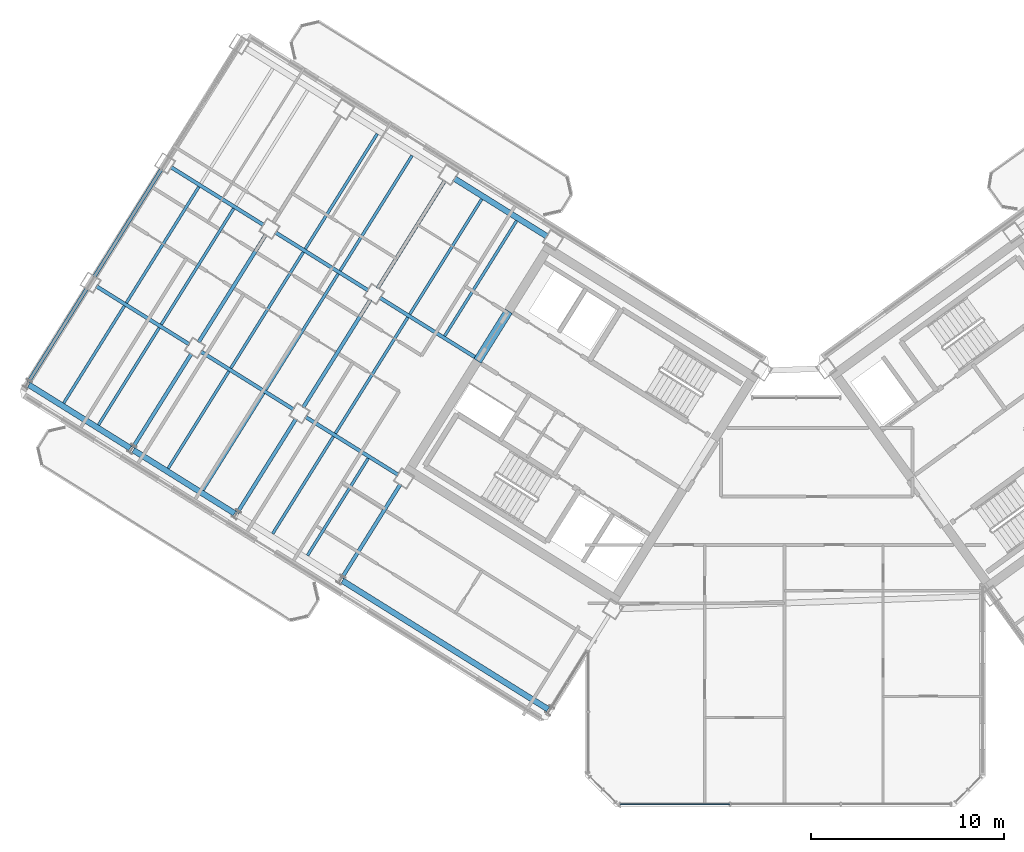
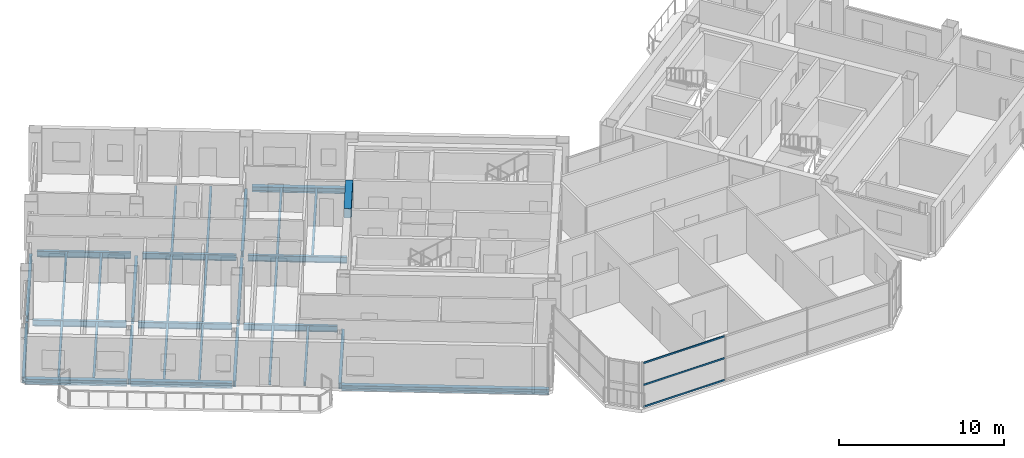
# One storey, part 7 of 29: 34 beams, 3 members, 1 element without a shape of its own.
"""IFC4 building model written with IfcOpenShell, lengths in metres."""

import ifcopenshell
import ifcopenshell.guid

model = None  # the IFC model being written
_history = None  # IfcOwnerHistory: only IFC2X3 demands one
_inside = {}  # id of a spatial element -> (the spatial element, [elements in it])
_under = {}  # id of a project, library or spatial element -> (it, [spatial elements below it])
_declared = {}  # id of a project -> (the project, [libraries it declares])
_typed = {}  # id of a type object -> (the type object, [elements of that type])
_made_of = {}  # id of a material, layer set ... -> (it, [elements and type objects made of it])


def new_model(schema):
    """Start an empty IFC model of exactly this schema.

    Asked for "IFC4X3", IfcOpenShell would pick the latest addendum, in which some entities
    have other attributes; the version numbers below select the first issue.
    IFC2X3 requires an IfcOwnerHistory on every rooted entity: one is made here for all.
    """
    global model, _history
    if schema == "IFC4X3":
        model = ifcopenshell.file(schema_version=(4, 3, 0, 0))
    else:
        model = ifcopenshell.file(schema=schema)
    _inside.clear()
    _under.clear()
    _declared.clear()
    _typed.clear()
    _made_of.clear()
    _history = None
    if model.schema == "IFC2X3":
        org = make("IfcOrganization", Name="unknown")
        user = make(
            "IfcPersonAndOrganization",
            ThePerson=make("IfcPerson", FamilyName="unknown"),
            TheOrganization=org,
        )
        app = make(
            "IfcApplication",
            ApplicationDeveloper=org,
            Version="unknown",
            ApplicationFullName="unknown",
            ApplicationIdentifier="unknown",
        )
        _history = make(
            "IfcOwnerHistory",
            OwningUser=user,
            OwningApplication=app,
            ChangeAction="ADDED",
            CreationDate=0,
        )
    return model


def make(cls, **values):
    """One entity of the class cls with the attributes given. An attribute that is None is left unset."""
    return model.create_entity(
        cls, **{name: value for name, value in values.items() if value is not None}
    )


def rooted(cls, **values):
    """An entity with a GlobalId (a new one), such as an element, a storey or a relation."""
    return make(cls, GlobalId=ifcopenshell.guid.new(), OwnerHistory=_history, **values)


def si_unit(unit_type, name, prefix=None):
    """IfcSIUnit, for example si_unit("LENGTHUNIT", "METRE", prefix="MILLI")."""
    return make("IfcSIUnit", UnitType=unit_type, Prefix=prefix, Name=name)


def assignment(units):
    """IfcUnitAssignment: the units of a project."""
    return None if units is None else make("IfcUnitAssignment", Units=units)


def point(xyz):
    """IfcCartesianPoint."""
    return None if xyz is None else make("IfcCartesianPoint", Coordinates=xyz)


def direction(xyz):
    """IfcDirection."""
    return None if xyz is None else make("IfcDirection", DirectionRatios=xyz)


def frame(location, z_axis=None, x_axis=None):
    """IfcAxis2Placement3D, a coordinate frame: its origin and axes. An axis left out is left unset."""
    return make(
        "IfcAxis2Placement3D",
        Location=point(location),
        Axis=direction(z_axis),
        RefDirection=direction(x_axis),
    )


def frame_2d(location, x_axis=None):
    """IfcAxis2Placement2D, a coordinate frame in the plane: its origin and x axis."""
    return make(
        "IfcAxis2Placement2D", Location=point(location), RefDirection=direction(x_axis)
    )


def origin():
    """The frame at (0, 0, 0) with its axes left unset."""
    return frame((0.0, 0.0, 0.0))


def origin_2d():
    """The frame at (0, 0) in the plane with its x axis left unset."""
    return frame_2d((0.0, 0.0))


def place(relative_to, where):
    """IfcLocalPlacement: puts the frame where relative to a parent placement (None: the world)."""
    return make(
        "IfcLocalPlacement", PlacementRelTo=relative_to, RelativePlacement=where
    )


def context(
    kind, dimensions, precision=None, world=None, true_north=None, identifier=None
):
    """IfcGeometricRepresentationContext, for example the 3D "Model" context."""
    return make(
        "IfcGeometricRepresentationContext",
        ContextIdentifier=identifier,
        ContextType=kind,
        CoordinateSpaceDimension=dimensions,
        Precision=precision,
        WorldCoordinateSystem=world,
        TrueNorth=true_north,
    )


def subcontext(parent, identifier, kind, view, scale=None):
    """IfcGeometricRepresentationSubContext, for example "Body" below "Model"."""
    return make(
        "IfcGeometricRepresentationSubContext",
        ContextIdentifier=identifier,
        ContextType=kind,
        ParentContext=parent,
        TargetScale=scale,
        TargetView=view,
    )


def project(units=None, contexts=None):
    """IfcProject with its units and contexts."""
    return rooted(
        "IfcProject",
        Name="project",
        RepresentationContexts=contexts,
        UnitsInContext=assignment(units),
    )


def spatial(cls, under=None, at=None, **own):
    """A site, building, storey or space (cls), placed at a placement, below another one or the project."""
    s = rooted(cls, ObjectPlacement=at, **own)
    if under is not None:
        _under.setdefault(under.id(), (under, []))[1].append(s)
    return s


def profile(cls, at=None, kind="AREA", **sizes):
    """A parametric profile (cls). Its sizes go by their IFC names, for example OverallWidth=200.0."""
    return make(cls, ProfileType=kind, Position=at, **sizes)


def rectangle(**sizes):
    """IfcRectangleProfileDef."""
    return profile("IfcRectangleProfileDef", **sizes)


def hollow_rectangle(**sizes):
    """IfcRectangleHollowProfileDef."""
    return profile("IfcRectangleHollowProfileDef", **sizes)


def i_section(**sizes):
    """IfcIShapeProfileDef."""
    return profile("IfcIShapeProfileDef", **sizes)


def extrude(swept, where, along, depth):
    """IfcExtrudedAreaSolid: the profile swept, set in the frame where, extruded along a direction by depth."""
    return make(
        "IfcExtrudedAreaSolid",
        SweptArea=swept,
        Position=where,
        ExtrudedDirection=direction(along),
        Depth=depth,
    )


def shape(context_of_items, identifier, shape_type, items):
    """IfcShapeRepresentation: the items that make up one representation, for example the "Body"."""
    return make(
        "IfcShapeRepresentation",
        ContextOfItems=context_of_items,
        RepresentationIdentifier=identifier,
        RepresentationType=shape_type,
        Items=items,
    )


def source(mapping_origin, context_of_items, identifier, shape_type, items):
    """IfcRepresentationMap: a shape defined once, which mapped items show again and again."""
    return make(
        "IfcRepresentationMap",
        MappingOrigin=mapping_origin,
        MappedRepresentation=shape(context_of_items, identifier, shape_type, items),
    )


def transform(
    local_origin,
    x_axis=None,
    y_axis=None,
    z_axis=None,
    scale=None,
    scale2=None,
    scale3=None,
    uniform=True,
):
    """IfcCartesianTransformationOperator3D, or its non-uniform kind. x_axis, y_axis, z_axis: its Axis1, 2, 3."""
    if uniform:
        return make(
            "IfcCartesianTransformationOperator3D",
            Axis1=direction(x_axis),
            Axis2=direction(y_axis),
            LocalOrigin=point(local_origin),
            Scale=scale,
            Axis3=direction(z_axis),
        )
    return make(
        "IfcCartesianTransformationOperator3DnonUniform",
        Axis1=direction(x_axis),
        Axis2=direction(y_axis),
        LocalOrigin=point(local_origin),
        Scale=scale,
        Axis3=direction(z_axis),
        Scale2=scale2,
        Scale3=scale3,
    )


def mapped(mapping_source, mapping_target):
    """IfcMappedItem: shows the shape of a source again, moved by a transform."""
    return make(
        "IfcMappedItem", MappingSource=mapping_source, MappingTarget=mapping_target
    )


def material(Name=None, Category=None):
    """IfcMaterial."""
    return make("IfcMaterial", Name=Name, Category=Category)


def material_profile(
    of_material, cross_section, Name=None, Category=None, Priority=None
):
    """IfcMaterialProfile: a cross section and its material."""
    return make(
        "IfcMaterialProfile",
        Name=Name,
        Material=of_material,
        Profile=cross_section,
        Priority=Priority,
        Category=Category,
    )


def profile_set(profiles, Name=None, composite=None):
    """IfcMaterialProfileSet."""
    return make(
        "IfcMaterialProfileSet",
        Name=Name,
        MaterialProfiles=profiles,
        CompositeProfile=composite,
    )


def made_of(thing, what):
    """Note that an element or type object is made of a material, layer set ...; save() writes the relation."""
    if what is not None:
        _made_of.setdefault(what.id(), (what, []))[1].append(thing)
    return thing


def type_object(cls, material=None, **own):
    """A type object (cls), such as IfcWallType, which elements share."""
    return made_of(rooted(cls, **own), material)


def element(
    cls,
    number,
    at=None,
    inside=None,
    cuts=None,
    type_object=None,
    material=None,
    context=None,
    identifier="Body",
    shape_type=None,
    held_by="IfcProductDefinitionShape",
    body=None,
    shapes=None,
    **own,
):
    """One element of the class cls, such as IfcWall. Its Tag is "e" and its number.

    at: its placement. inside: the storey or other place that contains it. cuts: it is an
    opening in that element (IfcRelVoidsElement). A single representation is given by context,
    identifier, shape_type and body (its items); several are given by shapes. held_by: the class
    of the entity that holds the representations. save() writes the other relations.
    """
    e = rooted(cls, Tag="e%d" % number, ObjectPlacement=at, **own)
    if body is not None:
        shapes = [shape(context, identifier, shape_type, body)]
    if shapes is not None:
        e.Representation = make(held_by, Representations=shapes)
    if inside is not None:
        _inside.setdefault(inside.id(), (inside, []))[1].append(e)
    if cuts is not None:
        rooted(
            "IfcRelVoidsElement", RelatingBuildingElement=cuts, RelatedOpeningElement=e
        )
    if type_object is not None:
        _typed.setdefault(type_object.id(), (type_object, []))[1].append(e)
    return made_of(e, material)


def aggregate(whole, parts):
    """IfcRelAggregates: a whole, such as a stair, and the parts it consists of."""
    return rooted("IfcRelAggregates", RelatingObject=whole, RelatedObjects=parts)


def save(model, path):
    """Write the relations noted so far, then the file.

    IfcRelAggregates (storeys below a building ...), IfcRelContainedInSpatialStructure (elements
    in a storey), IfcRelDefinesByType, IfcRelAssociatesMaterial and IfcRelDeclares: one each for
    every whole, place, type object, material and project.
    """
    for whole, parts in _under.values():
        aggregate(whole, parts)
    for where, things in _inside.values():
        rooted(
            "IfcRelContainedInSpatialStructure",
            RelatedElements=things,
            RelatingStructure=where,
        )
    for kind, things in _typed.values():
        rooted("IfcRelDefinesByType", RelatedObjects=things, RelatingType=kind)
    for what, things in _made_of.values():
        rooted("IfcRelAssociatesMaterial", RelatedObjects=things, RelatingMaterial=what)
    for by, libraries in _declared.values():
        rooted("IfcRelDeclares", RelatingContext=by, RelatedDefinitions=libraries)
    model.write(path)


model = new_model("IFC4")

# Units and contexts
model_context = context("Model", 3, precision=1e-05, world=origin(), true_north=direction((0.0, 1.0)))
body_context = subcontext(model_context, "Body", "Model", "MODEL_VIEW")
ifc_project = project(units=[si_unit("LENGTHUNIT", "METRE"), si_unit("AREAUNIT", "SQUARE_METRE"), si_unit("VOLUMEUNIT", "CUBIC_METRE"), si_unit("PLANEANGLEUNIT", "RADIAN"), si_unit("MASSUNIT", "GRAM", prefix="KILO")], contexts=[model_context])

# Site, building, storey
site_placement = place(None, origin())
site = spatial("IfcSite", under=ifc_project, at=site_placement, CompositionType="ELEMENT")
building_placement = place(site_placement, origin())
building = spatial("IfcBuilding", under=site, at=building_placement, Name="Tlacorven Tower", CompositionType="ELEMENT")
storey_placement = place(building_placement, frame((0.0, 0.0, 238.5)))
storey = spatial("IfcBuildingStorey", under=building, at=storey_placement, Name="L60", CompositionType="ELEMENT", Elevation=238.5)

# Beams
ifc_material_1 = material(Name="Concrete C60/75", Category="concrete")
ifc_material_profile_1 = material_profile(ifc_material_1, rectangle(XDim=0.449951171875, YDim=0.699951171875, at=origin_2d()), Name="RC 450X700")
ifc_profile_set_1 = profile_set([ifc_material_profile_1], Name="Concrete C60/75")
beam_type_1 = type_object("IfcBeamType", Name="BM-LNT-700", PredefinedType="LINTEL", material=ifc_profile_set_1)
shared_shape_1 = source(origin(), body_context, "Body", "SweptSolid", [
    extrude(rectangle(XDim=0.449951171875, YDim=0.699951171875, at=origin_2d()), origin(), (0.0, 0.0, 1.0), 3.0498046875),
])
beam_1_placement = place(storey_placement, frame((27.622802734375, 27.562255859375, 3.0), z_axis=(-0.529926983584, -0.848043272522, 0.0), x_axis=(0.848043272522, -0.529926983584, 0.0)))
element("IfcBeam", 1, at=beam_1_placement, inside=storey, type_object=beam_type_1, Name="L60 W core coupling lintel beam E2", PredefinedType="LINTEL", context=body_context, shape_type="MappedRepresentation", body=[
    mapped(shared_shape_1, transform((0.0, 0.0, 0.0), scale=1.0)),
])
ifc_material_2 = material(Name="Steel S355J2", Category="steel")
ifc_material_profile_2 = material_profile(ifc_material_2, i_section(OverallWidth=0.300048828125, OverallDepth=0.389892578125, WebThickness=0.010986328125, FlangeThickness=0.01904296875, at=origin_2d()), Name="HEA 400")
ifc_profile_set_2 = profile_set([ifc_material_profile_2], Name="Steel S355J2")
beam_type_2 = type_object("IfcBeamType", Name="BM-SPN-400", PredefinedType="SPANDREL", material=ifc_profile_set_2)
shared_shape_2 = source(origin(), body_context, "Body", "SweptSolid", [
    extrude(i_section(OverallWidth=0.300048828125, OverallDepth=0.389892578125, WebThickness=0.010986328125, FlangeThickness=0.01904296875, at=origin_2d()), origin(), (0.0, 0.0, 1.0), 12.599853515625),
])
beam_2_placement = place(storey_placement, frame((29.67578125, 6.882080078125, -0.445068359375), z_axis=(-0.848045108756, 0.529924045043, 0.0), x_axis=(-0.529924045043, -0.848045108756, 0.0)))
element("IfcBeam", 2, at=beam_2_placement, inside=storey, type_object=beam_type_2, Name="L60 beam BM-L60-WL4-1", PredefinedType="SPANDREL", context=body_context, shape_type="MappedRepresentation", body=[
    mapped(shared_shape_2, transform((0.0, 0.0, 0.0), scale=1.0)),
])
shared_shape_3 = source(origin(), body_context, "Body", "SweptSolid", [
    extrude(i_section(OverallWidth=0.300048828125, OverallDepth=0.389892578125, WebThickness=0.010986328125, FlangeThickness=0.01904296875, at=origin_2d()), origin(), (0.0, 0.0, 1.0), 6.199951171875),
])
for number, where, z_axis, x_axis, name in (
    (3, (13.393310546875, 17.056396484375, -0.445068359375), (-0.848033697614, 0.529942306022, 0.0), (-0.529942306022, -0.848033697614, 0.0), "L60 beam BM-L60-WL4-4"),
    (4, (7.9658203125, 20.447998046875, -0.445068359375), (-0.848051394107, 0.529913986372, 0.0), (-0.529913986372, -0.848051394107, 0.0), "L60 beam BM-L60-WL4-5"),
):
    element("IfcBeam", number, at=place(storey_placement, frame(where, z_axis=z_axis, x_axis=x_axis)), inside=storey, type_object=beam_type_2, Name=name, PredefinedType="SPANDREL", context=body_context, shape_type="MappedRepresentation", body=[
        mapped(shared_shape_3, transform((0.0, 0.0, 0.0), scale=1.0)),
    ])
shared_shape_4 = source(origin(), body_context, "Body", "SweptSolid", [
    extrude(i_section(OverallWidth=0.300048828125, OverallDepth=0.389892578125, WebThickness=0.010986328125, FlangeThickness=0.01904296875, at=origin_2d()), origin(), (0.0, 0.0, 1.0), 5.699951171875),
])
beam_3_placement = place(storey_placement, frame((29.631103515625, 31.436767578125, -0.445068359375), z_axis=(-0.848044021115, 0.529925785607, 0.0), x_axis=(-0.529925785607, -0.848044021115, 0.0)))
element("IfcBeam", 5, at=beam_3_placement, inside=storey, type_object=beam_type_2, Name="L60 beam BM-L60-WL1-3", PredefinedType="SPANDREL", context=body_context, shape_type="MappedRepresentation", body=[
    mapped(shared_shape_4, transform((0.0, 0.0, 0.0), scale=1.0)),
])
ifc_material_profile_3 = material_profile(ifc_material_2, i_section(OverallWidth=0.14990234375, OverallDepth=0.300048828125, WebThickness=0.007080078125, FlangeThickness=0.0107421875, at=origin_2d()), Name="IPE 300")
ifc_profile_set_3 = profile_set([ifc_material_profile_3], Name="Steel S355J2")
beam_type_3 = type_object("IfcBeamType", Name="BM-JST-300", PredefinedType="JOIST", material=ifc_profile_set_3)
shared_shape_5 = source(origin(), body_context, "Body", "SweptSolid", [
    extrude(i_section(OverallWidth=0.14990234375, OverallDepth=0.300048828125, WebThickness=0.007080078125, FlangeThickness=0.0107421875, at=origin_2d()), origin(), (0.0, 0.0, 1.0), 7.10009765625),
])
for number, where, z_axis, x_axis, name in (
    (6, (22.38818359375, 27.23681640625, -0.39990234375), (-0.529915484902, -0.848050457733, 0.0), (0.848050457733, -0.529915484902, 0.0), "L60 beam BM-L60-WJ3-2-2"),
    (7, (11.533203125, 34.019775390625, -0.39990234375), (-0.529915484902, -0.848050457733, 0.0), (0.848050457733, -0.529915484902, 0.0), "L60 beam BM-L60-WJ5-2-2"),
):
    element("IfcBeam", number, at=place(storey_placement, frame(where, z_axis=z_axis, x_axis=x_axis)), inside=storey, type_object=beam_type_3, Name=name, PredefinedType="JOIST", context=body_context, shape_type="MappedRepresentation", body=[
        mapped(shared_shape_5, transform((0.0, 0.0, 0.0), scale=1.0)),
    ])
shared_shape_6 = source(origin(), body_context, "Body", "SweptSolid", [
    extrude(i_section(OverallWidth=0.14990234375, OverallDepth=0.300048828125, WebThickness=0.007080078125, FlangeThickness=0.0107421875, at=origin_2d()), origin(), (0.0, 0.0, 1.0), 7.099853515625),
])
for number, where, z_axis, x_axis, name in (
    (8, (18.769775390625, 29.497802734375, -0.39990234375), (-0.529890754507, -0.848065910344, 0.0), (0.848065910344, -0.529890754507, 0.0), "L60 beam BM-L60-WJ4-2-1"),
    (9, (16.960693359375, 30.628173828125, -0.39990234375), (-0.529930937954, -0.848040801494, 0.0), (0.848040801494, -0.529930937954, 0.0), "L60 beam BM-L60-WJ4-2-2"),
    (10, (13.34228515625, 32.88916015625, -0.39990234375), (-0.529930937954, -0.848040801494, 0.0), (0.848040801494, -0.529930937954, 0.0), "L60 beam BM-L60-WJ5-2-1"),
):
    element("IfcBeam", number, at=place(storey_placement, frame(where, z_axis=z_axis, x_axis=x_axis)), inside=storey, type_object=beam_type_3, Name=name, PredefinedType="JOIST", context=body_context, shape_type="MappedRepresentation", body=[
        mapped(shared_shape_6, transform((0.0, 0.0, 0.0), scale=1.0)),
    ])
ifc_material_profile_4 = material_profile(ifc_material_2, i_section(OverallWidth=0.18994140625, OverallDepth=0.449951171875, WebThickness=0.009521484375, FlangeThickness=0.0146484375, at=origin_2d()), Name="IPE 450")
ifc_profile_set_4 = profile_set([ifc_material_profile_4], Name="Steel S355J2")
beam_type_4 = type_object("IfcBeamType", Name="BM-TWR-450", PredefinedType="BEAM", material=ifc_profile_set_4)
shared_shape_7 = source(origin(), body_context, "Body", "SweptSolid", [
    extrude(i_section(OverallWidth=0.18994140625, OverallDepth=0.449951171875, WebThickness=0.009521484375, FlangeThickness=0.0146484375, at=origin_2d()), origin(), (0.0, 0.0, 1.0), 6.010009765625),
])
beam_4_placement = place(storey_placement, frame((26.025634765625, 25.081787109375, -0.47509765625), z_axis=(-0.848043944584, 0.529925908081, 0.0), x_axis=(-0.529925908081, -0.848043944584, 0.0)))
element("IfcBeam", 11, at=beam_4_placement, inside=storey, type_object=beam_type_4, Name="L60 beam BM-L60-WL2-3", PredefinedType="BEAM", context=body_context, shape_type="MappedRepresentation", body=[
    mapped(shared_shape_7, transform((0.0, 0.0, 0.0), scale=1.0)),
])
shared_shape_8 = source(origin(), body_context, "Body", "SweptSolid", [
    extrude(i_section(OverallWidth=0.18994140625, OverallDepth=0.449951171875, WebThickness=0.009521484375, FlangeThickness=0.0146484375, at=origin_2d()), origin(), (0.0, 0.0, 1.0), 5.7001953125),
])
for number, where, z_axis, x_axis, name in (
    (12, (20.335205078125, 28.637451171875, -0.47509765625), (-0.848036800771, 0.529937340199, 0.0), (-0.529937340199, -0.848036800771, 0.0), "L60 beam BM-L60-WL2-4"),
    (13, (14.90771484375, 32.029052734375, -0.47509765625), (-0.848056048787, 0.529906537151, 0.0), (-0.529906537151, -0.848056048787, 0.0), "L60 beam BM-L60-WL2-5"),
    (14, (16.466796875, 22.44677734375, -0.47509765625), (-0.848056048787, 0.529906537151, 0.0), (-0.529906537151, -0.848056048787, 0.0), "L60 beam BM-L60-WL3-4"),
    (15, (11.039306640625, 25.83837890625, -0.47509765625), (-0.848056048787, 0.529906537151, 0.0), (-0.529906537151, -0.848056048787, 0.0), "L60 beam BM-L60-WL3-5"),
):
    element("IfcBeam", number, at=place(storey_placement, frame(where, z_axis=z_axis, x_axis=x_axis)), inside=storey, type_object=beam_type_4, Name=name, PredefinedType="BEAM", context=body_context, shape_type="MappedRepresentation", body=[
        mapped(shared_shape_8, transform((0.0, 0.0, 0.0), scale=1.0)),
    ])
shared_shape_9 = source(origin(), body_context, "Body", "SweptSolid", [
    extrude(i_section(OverallWidth=0.18994140625, OverallDepth=0.449951171875, WebThickness=0.009521484375, FlangeThickness=0.0146484375, at=origin_2d()), origin(), (0.0, 0.0, 1.0), 5.699951171875),
])
beam_5_placement = place(storey_placement, frame((21.894287109375, 19.055419921875, -0.47509765625), z_axis=(-0.848044021115, 0.529925785607, 0.0), x_axis=(-0.529925785607, -0.848044021115, 0.0)))
element("IfcBeam", 16, at=beam_5_placement, inside=storey, type_object=beam_type_4, Name="L60 beam BM-L60-WL3-3", PredefinedType="BEAM", context=body_context, shape_type="MappedRepresentation", body=[
    mapped(shared_shape_9, transform((0.0, 0.0, 0.0), scale=1.0)),
])
shared_shape_10 = source(origin(), body_context, "Body", "SweptSolid", [
    extrude(i_section(OverallWidth=0.18994140625, OverallDepth=0.449951171875, WebThickness=0.009521484375, FlangeThickness=0.0146484375, at=origin_2d()), origin(), (0.0, 0.0, 1.0), 5.75),
])
for number, where, z_axis, x_axis, name in (
    (17, (22.005615234375, 18.572998046875, -0.47509765625), (-0.529934056882, -0.848038852504, 0.0), (0.848038852504, -0.529934056882, 0.0), "L60 beam BM-L60-WT3-2"),
    (18, (11.150634765625, 25.35595703125, -0.47509765625), (-0.529934056882, -0.848038852504, 0.0), (0.848038852504, -0.529934056882, 0.0), "L60 beam BM-L60-WT5-3"),
):
    element("IfcBeam", number, at=place(storey_placement, frame(where, z_axis=z_axis, x_axis=x_axis)), inside=storey, type_object=beam_type_4, Name=name, PredefinedType="BEAM", context=body_context, shape_type="MappedRepresentation", body=[
        mapped(shared_shape_10, transform((0.0, 0.0, 0.0), scale=1.0)),
    ])
shared_shape_11 = source(origin(), body_context, "Body", "SweptSolid", [
    extrude(i_section(OverallWidth=0.18994140625, OverallDepth=0.449951171875, WebThickness=0.009521484375, FlangeThickness=0.0146484375, at=origin_2d()), origin(), (0.0, 0.0, 1.0), 6.599853515625),
])
beam_6_placement = place(storey_placement, frame((24.31494140625, 34.345947265625, -0.47509765625), z_axis=(-0.529942412256, -0.848033631227, 0.0), x_axis=(0.848033631227, -0.529942412256, 0.0)))
element("IfcBeam", 19, at=beam_6_placement, inside=storey, type_object=beam_type_4, Name="L60 beam BM-L60-WT4-1", PredefinedType="BEAM", context=body_context, shape_type="MappedRepresentation", body=[
    mapped(shared_shape_11, transform((0.0, 0.0, 0.0), scale=1.0)),
])
shared_shape_12 = source(origin(), body_context, "Body", "SweptSolid", [
    extrude(i_section(OverallWidth=0.18994140625, OverallDepth=0.449951171875, WebThickness=0.009521484375, FlangeThickness=0.0146484375, at=origin_2d()), origin(), (0.0, 0.0, 1.0), 6.60009765625),
])
for number, where, z_axis, x_axis, name in (
    (20, (20.446533203125, 28.1552734375, -0.47509765625), (-0.529925788294, -0.848044019436, 0.0), (0.848044019436, -0.529925788294, 0.0), "L60 beam BM-L60-WT4-2"),
    (21, (15.01904296875, 31.546875, -0.47509765625), (-0.529925788294, -0.848044019436, 0.0), (0.848044019436, -0.529925788294, 0.0), "L60 beam BM-L60-WT5-2"),
    (22, (9.591552734375, 34.938232421875, -0.47509765625), (-0.529925788294, -0.848044019436, 0.0), (0.848044019436, -0.529925788294, 0.0), "L60 beam BM-L60-WT6-2"),
):
    element("IfcBeam", number, at=place(storey_placement, frame(where, z_axis=z_axis, x_axis=x_axis)), inside=storey, type_object=beam_type_4, Name=name, PredefinedType="BEAM", context=body_context, shape_type="MappedRepresentation", body=[
        mapped(shared_shape_12, transform((0.0, 0.0, 0.0), scale=1.0)),
    ])
shared_shape_13 = source(origin(), body_context, "Body", "SweptSolid", [
    extrude(i_section(OverallWidth=0.18994140625, OverallDepth=0.449951171875, WebThickness=0.009521484375, FlangeThickness=0.0146484375, at=origin_2d()), origin(), (0.0, 0.0, 1.0), 5.750244140625),
])
for number, where, z_axis, x_axis, name in (
    (23, (16.578125, 21.964599609375, -0.47509765625), (-0.529914976044, -0.848050775699, 0.0), (0.848050775699, -0.529914976044, 0.0), "L60 beam BM-L60-WT4-3"),
    (24, (5.72314453125, 28.74755859375, -0.47509765625), (-0.529914976044, -0.848050775699, 0.0), (0.848050775699, -0.529914976044, 0.0), "L60 beam BM-L60-WT6-3"),
):
    element("IfcBeam", number, at=place(storey_placement, frame(where, z_axis=z_axis, x_axis=x_axis)), inside=storey, type_object=beam_type_4, Name=name, PredefinedType="BEAM", context=body_context, shape_type="MappedRepresentation", body=[
        mapped(shared_shape_13, transform((0.0, 0.0, 0.0), scale=1.0)),
    ])
shared_shape_14 = source(origin(), body_context, "Body", "SweptSolid", [
    extrude(i_section(OverallWidth=0.14990234375, OverallDepth=0.300048828125, WebThickness=0.007080078125, FlangeThickness=0.0107421875, at=origin_2d()), origin(), (0.0, 0.0, 1.0), 7.044921875),
])
for number, where, z_axis, x_axis, name in (
    (25, (28.03662109375, 32.25048828125, -0.39990234375), (-0.529899256491, -0.848060598053, 0.0), (0.848060598053, -0.529899256491, 0.0), "L60 beam BM-L60-WJ3-1-1"),
    (26, (26.2275390625, 33.380859375, -0.39990234375), (-0.529939753148, -0.848035292917, 0.0), (0.848035292917, -0.529939753148, 0.0), "L60 beam BM-L60-WJ3-1-2"),
    (27, (22.609130859375, 35.641845703125, -0.39990234375), (-0.52991483005, -0.848050866925, 0.0), (0.848050866925, -0.52991483005, 0.0), "L60 beam BM-L60-WJ4-1-1"),
):
    element("IfcBeam", number, at=place(storey_placement, frame(where, z_axis=z_axis, x_axis=x_axis)), inside=storey, type_object=beam_type_3, Name=name, PredefinedType="JOIST", context=body_context, shape_type="MappedRepresentation", body=[
        mapped(shared_shape_14, transform((0.0, 0.0, 0.0), scale=1.0)),
    ])
shared_shape_15 = source(origin(), body_context, "Body", "SweptSolid", [
    extrude(i_section(OverallWidth=0.14990234375, OverallDepth=0.300048828125, WebThickness=0.007080078125, FlangeThickness=0.0107421875, at=origin_2d()), origin(), (0.0, 0.0, 1.0), 5.945068359375),
])
for number, where, z_axis, x_axis, name in (
    (28, (20.3291015625, 19.91552734375, -0.39990234375), (-0.529914037113, -0.848051362401, 0.0), (0.848051362401, -0.529914037113, 0.0), "L60 beam BM-L60-WJ3-3-1"),
    (29, (18.519775390625, 21.046142578125, -0.39990234375), (-0.529914037113, -0.848051362401, 0.0), (0.848051362401, -0.529914037113, 0.0), "L60 beam BM-L60-WJ3-3-2"),
    (30, (14.9013671875, 23.30712890625, -0.39990234375), (-0.529884501938, -0.848069817059, 0.0), (0.848069817059, -0.529884501938, 0.0), "L60 beam BM-L60-WJ4-3-1"),
    (31, (9.473876953125, 26.698486328125, -0.39990234375), (-0.529914037113, -0.848051362401, 0.0), (0.848051362401, -0.529914037113, 0.0), "L60 beam BM-L60-WJ5-3-1"),
    (32, (7.664794921875, 27.8291015625, -0.39990234375), (-0.529914037113, -0.848051362401, 0.0), (0.848051362401, -0.529914037113, 0.0), "L60 beam BM-L60-WJ5-3-2"),
):
    element("IfcBeam", number, at=place(storey_placement, frame(where, z_axis=z_axis, x_axis=x_axis)), inside=storey, type_object=beam_type_3, Name=name, PredefinedType="JOIST", context=body_context, shape_type="MappedRepresentation", body=[
        mapped(shared_shape_15, transform((0.0, 0.0, 0.0), scale=1.0)),
    ])
shared_shape_16 = source(origin(), body_context, "Body", "SweptSolid", [
    extrude(i_section(OverallWidth=0.14990234375, OverallDepth=0.300048828125, WebThickness=0.007080078125, FlangeThickness=0.0107421875, at=origin_2d()), origin(), (0.0, 0.0, 1.0), 7.045166015625),
])
beam_7_placement = place(storey_placement, frame((20.800048828125, 36.7724609375, -0.39990234375), z_axis=(-0.529924179428, -0.848045024782, 0.0), x_axis=(0.848045024782, -0.529924179428, 0.0)))
element("IfcBeam", 33, at=beam_7_placement, inside=storey, type_object=beam_type_3, Name="L60 beam BM-L60-WJ4-1-2", PredefinedType="JOIST", context=body_context, shape_type="MappedRepresentation", body=[
    mapped(shared_shape_16, transform((0.0, 0.0, 0.0), scale=1.0)),
])
shared_shape_17 = source(origin(), body_context, "Body", "SweptSolid", [
    extrude(i_section(OverallWidth=0.14990234375, OverallDepth=0.300048828125, WebThickness=0.007080078125, FlangeThickness=0.0107421875, at=origin_2d()), origin(), (0.0, 0.0, 1.0), 5.94482421875),
])
beam_8_placement = place(storey_placement, frame((13.09228515625, 24.4375, -0.39990234375), z_axis=(-0.529932492401, -0.848039830136, 0.0), x_axis=(0.848039830136, -0.529932492401, 0.0)))
element("IfcBeam", 34, at=beam_8_placement, inside=storey, type_object=beam_type_3, Name="L60 beam BM-L60-WJ4-3-2", PredefinedType="JOIST", context=body_context, shape_type="MappedRepresentation", body=[
    mapped(shared_shape_17, transform((0.0, 0.0, 0.0), scale=1.0)),
])

# Curtain wall, members
ifc_material_3 = material(Name="Dark solar low-E double glazing in aluminium frame", Category="aluminium")
curtain_wall_type = type_object("IfcCurtainWallType", Name="CW-TWR-HIGH", PredefinedType="USERDEFINED", material=ifc_material_3)
curtain_wall_placement = place(storey_placement, origin())
curtain_wall = element("IfcCurtainWall", 35, at=curtain_wall_placement, inside=storey, type_object=curtain_wall_type, Name="L60 CW-TWR-HIGH Curtain Wall 273", ObjectType="UNITISED CURTAIN WALL", PredefinedType="USERDEFINED")
ifc_material_4 = material(Name="Aluminium 6063-T6 anodised", Category="aluminium")
ifc_material_profile_5 = material_profile(ifc_material_4, hollow_rectangle(XDim=0.054931640625, YDim=0.1201171875, WallThickness=0.00341796875, at=origin_2d()), Name="ALU TRANSOM 55X120")
ifc_profile_set_5 = profile_set([ifc_material_profile_5], Name="Aluminium 6063-T6 anodised")
member_type = type_object("IfcMemberType", Name="CWT-03", PredefinedType="USERDEFINED", material=ifc_profile_set_5)
shared_shape_18 = source(origin(), body_context, "Body", "SweptSolid", [
    extrude(hollow_rectangle(XDim=0.054931640625, YDim=0.1201171875, WallThickness=0.00341796875, at=origin_2d()), origin(), (0.0, 0.0, 1.0), 5.689697265625),
])
member_1_placement = place(storey_placement, frame((39.10400390625, 1.9599609375, 0.06005859375), z_axis=(-1.0, 0.0, 0.0), x_axis=(0.0, -1.0, 0.0)))
member_1 = element("IfcMember", 36, at=member_1_placement, type_object=member_type, Name="CW-L60-273 Transom 7", ObjectType="TRANSOM", PredefinedType="USERDEFINED", context=body_context, shape_type="MappedRepresentation", body=[
    mapped(shared_shape_18, transform((0.0, 0.0, 0.0), scale=1.0)),
])
member_2_placement = place(storey_placement, frame((39.10400390625, 1.9599609375, 1.675048828125), z_axis=(-1.0, 0.0, 0.0), x_axis=(0.0, -1.0, 0.0)))
member_2 = element("IfcMember", 37, at=member_2_placement, type_object=member_type, Name="CW-L60-273 Transom 8", ObjectType="TRANSOM", PredefinedType="USERDEFINED", context=body_context, shape_type="MappedRepresentation", body=[
    mapped(shared_shape_18, transform((0.0, 0.0, 0.0), scale=1.0)),
])
member_3_placement = place(storey_placement, frame((39.10400390625, 1.9599609375, 3.2900390625), z_axis=(-1.0, 0.0, 0.0), x_axis=(0.0, -1.0, 0.0)))
member_3 = element("IfcMember", 38, at=member_3_placement, type_object=member_type, Name="CW-L60-273 Transom 9", ObjectType="TRANSOM", PredefinedType="USERDEFINED", context=body_context, shape_type="MappedRepresentation", body=[
    mapped(shared_shape_18, transform((0.0, 0.0, 0.0), scale=1.0)),
])
aggregate(curtain_wall, [member_1, member_2, member_3])

save(model, "model.ifc")
